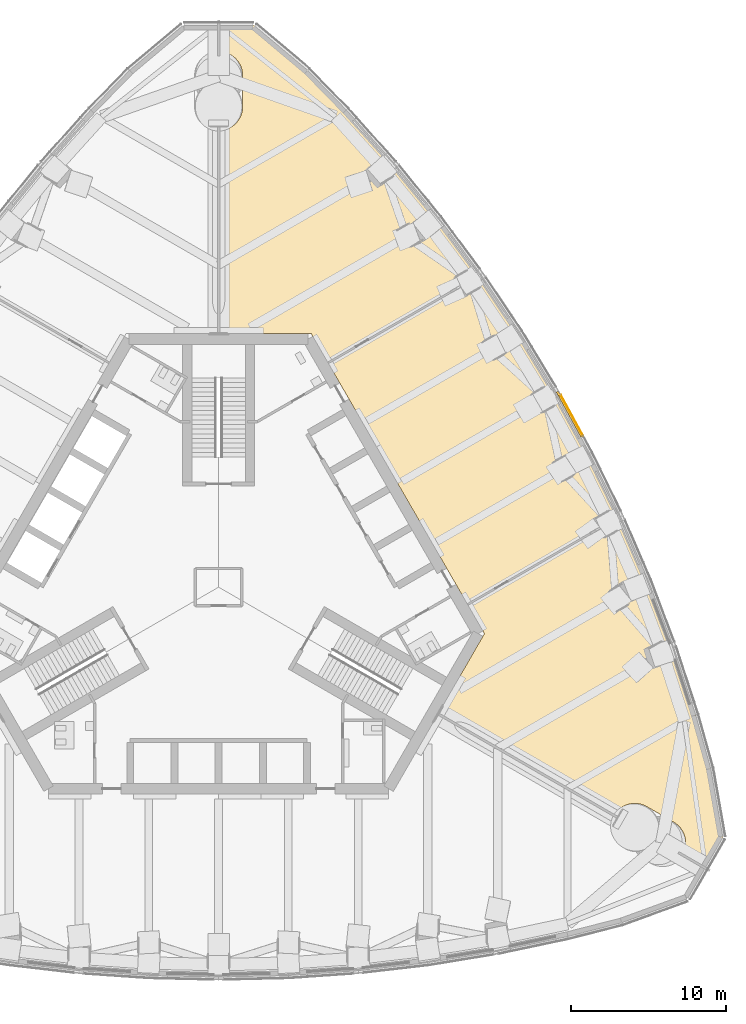
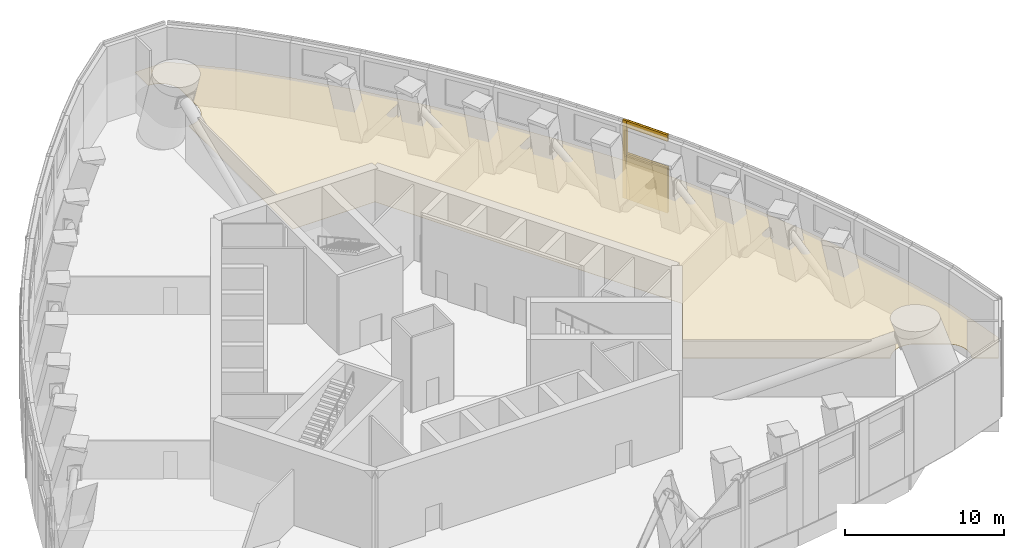
# One storey, part 18 of 22: 6 coverings.
"""IFC4 building model written with IfcOpenShell, lengths in metres."""

import ifcopenshell
import ifcopenshell.guid

model = None  # the IFC model being written
_history = None  # IfcOwnerHistory: only IFC2X3 demands one
_inside = {}  # id of a spatial element -> (the spatial element, [elements in it])
_under = {}  # id of a project, library or spatial element -> (it, [spatial elements below it])
_declared = {}  # id of a project -> (the project, [libraries it declares])
_typed = {}  # id of a type object -> (the type object, [elements of that type])
_made_of = {}  # id of a material, layer set ... -> (it, [elements and type objects made of it])


def new_model(schema):
    """Start an empty IFC model of exactly this schema.

    Asked for "IFC4X3", IfcOpenShell would pick the latest addendum, in which some entities
    have other attributes; the version numbers below select the first issue.
    IFC2X3 requires an IfcOwnerHistory on every rooted entity: one is made here for all.
    """
    global model, _history
    if schema == "IFC4X3":
        model = ifcopenshell.file(schema_version=(4, 3, 0, 0))
    else:
        model = ifcopenshell.file(schema=schema)
    _inside.clear()
    _under.clear()
    _declared.clear()
    _typed.clear()
    _made_of.clear()
    _history = None
    if model.schema == "IFC2X3":
        org = make("IfcOrganization", Name="unknown")
        user = make(
            "IfcPersonAndOrganization",
            ThePerson=make("IfcPerson", FamilyName="unknown"),
            TheOrganization=org,
        )
        app = make(
            "IfcApplication",
            ApplicationDeveloper=org,
            Version="unknown",
            ApplicationFullName="unknown",
            ApplicationIdentifier="unknown",
        )
        _history = make(
            "IfcOwnerHistory",
            OwningUser=user,
            OwningApplication=app,
            ChangeAction="ADDED",
            CreationDate=0,
        )
    return model


def make(cls, **values):
    """One entity of the class cls with the attributes given. An attribute that is None is left unset."""
    return model.create_entity(
        cls, **{name: value for name, value in values.items() if value is not None}
    )


def rooted(cls, **values):
    """An entity with a GlobalId (a new one), such as an element, a storey or a relation."""
    return make(cls, GlobalId=ifcopenshell.guid.new(), OwnerHistory=_history, **values)


def si_unit(unit_type, name, prefix=None):
    """IfcSIUnit, for example si_unit("LENGTHUNIT", "METRE", prefix="MILLI")."""
    return make("IfcSIUnit", UnitType=unit_type, Prefix=prefix, Name=name)


def assignment(units):
    """IfcUnitAssignment: the units of a project."""
    return None if units is None else make("IfcUnitAssignment", Units=units)


def point(xyz):
    """IfcCartesianPoint."""
    return None if xyz is None else make("IfcCartesianPoint", Coordinates=xyz)


def direction(xyz):
    """IfcDirection."""
    return None if xyz is None else make("IfcDirection", DirectionRatios=xyz)


def frame(location, z_axis=None, x_axis=None):
    """IfcAxis2Placement3D, a coordinate frame: its origin and axes. An axis left out is left unset."""
    return make(
        "IfcAxis2Placement3D",
        Location=point(location),
        Axis=direction(z_axis),
        RefDirection=direction(x_axis),
    )


def frame_2d(location, x_axis=None):
    """IfcAxis2Placement2D, a coordinate frame in the plane: its origin and x axis."""
    return make(
        "IfcAxis2Placement2D", Location=point(location), RefDirection=direction(x_axis)
    )


def origin():
    """The frame at (0, 0, 0) with its axes left unset."""
    return frame((0.0, 0.0, 0.0))


def origin_2d():
    """The frame at (0, 0) in the plane with its x axis left unset."""
    return frame_2d((0.0, 0.0))


def place(relative_to, where):
    """IfcLocalPlacement: puts the frame where relative to a parent placement (None: the world)."""
    return make(
        "IfcLocalPlacement", PlacementRelTo=relative_to, RelativePlacement=where
    )


def context(
    kind, dimensions, precision=None, world=None, true_north=None, identifier=None
):
    """IfcGeometricRepresentationContext, for example the 3D "Model" context."""
    return make(
        "IfcGeometricRepresentationContext",
        ContextIdentifier=identifier,
        ContextType=kind,
        CoordinateSpaceDimension=dimensions,
        Precision=precision,
        WorldCoordinateSystem=world,
        TrueNorth=true_north,
    )


def subcontext(parent, identifier, kind, view, scale=None):
    """IfcGeometricRepresentationSubContext, for example "Body" below "Model"."""
    return make(
        "IfcGeometricRepresentationSubContext",
        ContextIdentifier=identifier,
        ContextType=kind,
        ParentContext=parent,
        TargetScale=scale,
        TargetView=view,
    )


def project(units=None, contexts=None):
    """IfcProject with its units and contexts."""
    return rooted(
        "IfcProject",
        Name="project",
        RepresentationContexts=contexts,
        UnitsInContext=assignment(units),
    )


def spatial(cls, under=None, at=None, **own):
    """A site, building, storey or space (cls), placed at a placement, below another one or the project."""
    s = rooted(cls, ObjectPlacement=at, **own)
    if under is not None:
        _under.setdefault(under.id(), (under, []))[1].append(s)
    return s


def polyline(points):
    """IfcPolyline through the points."""
    return make("IfcPolyline", Points=[point(p) for p in points])


def profile(cls, at=None, kind="AREA", **sizes):
    """A parametric profile (cls). Its sizes go by their IFC names, for example OverallWidth=200.0."""
    return make(cls, ProfileType=kind, Position=at, **sizes)


def rectangle(**sizes):
    """IfcRectangleProfileDef."""
    return profile("IfcRectangleProfileDef", **sizes)


def outline(outer, holes=None, kind="AREA"):
    """IfcArbitraryClosedProfileDef: a profile drawn as a closed curve; with holes, ...WithVoids."""
    if holes is None:
        return make("IfcArbitraryClosedProfileDef", ProfileType=kind, OuterCurve=outer)
    return make(
        "IfcArbitraryProfileDefWithVoids",
        ProfileType=kind,
        OuterCurve=outer,
        InnerCurves=holes,
    )


def extrude(swept, where, along, depth):
    """IfcExtrudedAreaSolid: the profile swept, set in the frame where, extruded along a direction by depth."""
    return make(
        "IfcExtrudedAreaSolid",
        SweptArea=swept,
        Position=where,
        ExtrudedDirection=direction(along),
        Depth=depth,
    )


def shape(context_of_items, identifier, shape_type, items):
    """IfcShapeRepresentation: the items that make up one representation, for example the "Body"."""
    return make(
        "IfcShapeRepresentation",
        ContextOfItems=context_of_items,
        RepresentationIdentifier=identifier,
        RepresentationType=shape_type,
        Items=items,
    )


def material(Name=None, Category=None):
    """IfcMaterial."""
    return make("IfcMaterial", Name=Name, Category=Category)


def layer(
    of_material, thickness, ventilated=None, Name=None, Category=None, Priority=None
):
    """IfcMaterialLayer: one layer of a wall or slab, of a material (None: an air gap)."""
    return make(
        "IfcMaterialLayer",
        Material=of_material,
        LayerThickness=thickness,
        IsVentilated=ventilated,
        Name=Name,
        Category=Category,
        Priority=Priority,
    )


def layer_set(layers, Name=None):
    """IfcMaterialLayerSet."""
    return make("IfcMaterialLayerSet", MaterialLayers=layers, LayerSetName=Name)


def made_of(thing, what):
    """Note that an element or type object is made of a material, layer set ...; save() writes the relation."""
    if what is not None:
        _made_of.setdefault(what.id(), (what, []))[1].append(thing)
    return thing


def type_object(cls, material=None, **own):
    """A type object (cls), such as IfcWallType, which elements share."""
    return made_of(rooted(cls, **own), material)


def element(
    cls,
    number,
    at=None,
    inside=None,
    cuts=None,
    type_object=None,
    material=None,
    context=None,
    identifier="Body",
    shape_type=None,
    held_by="IfcProductDefinitionShape",
    body=None,
    shapes=None,
    **own,
):
    """One element of the class cls, such as IfcWall. Its Tag is "e" and its number.

    at: its placement. inside: the storey or other place that contains it. cuts: it is an
    opening in that element (IfcRelVoidsElement). A single representation is given by context,
    identifier, shape_type and body (its items); several are given by shapes. held_by: the class
    of the entity that holds the representations. save() writes the other relations.
    """
    e = rooted(cls, Tag="e%d" % number, ObjectPlacement=at, **own)
    if body is not None:
        shapes = [shape(context, identifier, shape_type, body)]
    if shapes is not None:
        e.Representation = make(held_by, Representations=shapes)
    if inside is not None:
        _inside.setdefault(inside.id(), (inside, []))[1].append(e)
    if cuts is not None:
        rooted(
            "IfcRelVoidsElement", RelatingBuildingElement=cuts, RelatedOpeningElement=e
        )
    if type_object is not None:
        _typed.setdefault(type_object.id(), (type_object, []))[1].append(e)
    return made_of(e, material)


def aggregate(whole, parts):
    """IfcRelAggregates: a whole, such as a stair, and the parts it consists of."""
    return rooted("IfcRelAggregates", RelatingObject=whole, RelatedObjects=parts)


def save(model, path):
    """Write the relations noted so far, then the file.

    IfcRelAggregates (storeys below a building ...), IfcRelContainedInSpatialStructure (elements
    in a storey), IfcRelDefinesByType, IfcRelAssociatesMaterial and IfcRelDeclares: one each for
    every whole, place, type object, material and project.
    """
    for whole, parts in _under.values():
        aggregate(whole, parts)
    for where, things in _inside.values():
        rooted(
            "IfcRelContainedInSpatialStructure",
            RelatedElements=things,
            RelatingStructure=where,
        )
    for kind, things in _typed.values():
        rooted("IfcRelDefinesByType", RelatedObjects=things, RelatingType=kind)
    for what, things in _made_of.values():
        rooted("IfcRelAssociatesMaterial", RelatedObjects=things, RelatingMaterial=what)
    for by, libraries in _declared.values():
        rooted("IfcRelDeclares", RelatingContext=by, RelatedDefinitions=libraries)
    model.write(path)


model = new_model("IFC4")

# Units and contexts
model_context = context("Model", 3, precision=1e-05, world=origin(), true_north=direction((0.0, 1.0)))
body_context = subcontext(model_context, "Body", "Model", "MODEL_VIEW")
ifc_project = project(units=[si_unit("LENGTHUNIT", "METRE"), si_unit("AREAUNIT", "SQUARE_METRE"), si_unit("VOLUMEUNIT", "CUBIC_METRE"), si_unit("PLANEANGLEUNIT", "RADIAN"), si_unit("MASSUNIT", "GRAM", prefix="KILO")], contexts=[model_context])

# Site, building, storey
site_placement = place(None, origin())
site = spatial("IfcSite", under=ifc_project, at=site_placement, CompositionType="ELEMENT")
building_placement = place(site_placement, origin())
building = spatial("IfcBuilding", under=site, at=building_placement, Name="Trefoil Bronze Tower", CompositionType="ELEMENT")
storey_placement = place(building_placement, frame((0.0, 0.0, 265.300048828125)))
storey = spatial("IfcBuildingStorey", under=building, at=storey_placement, Name="L61", CompositionType="ELEMENT", Elevation=265.300048828125)

# Coverings
ifc_material_1 = material(Name="Bronze-finish aluminium rainscreen panel on aluminium rails", Category="aluminium")
ifc_layer_1 = layer(ifc_material_1, 0.0400390625)
ifc_layer_set_1 = layer_set([ifc_layer_1], Name="Bronze cladding panel 40")
covering_type_1 = type_object("IfcCoveringType", Name="Bronze cladding panel 40", PredefinedType="CLADDING", material=ifc_layer_set_1)
covering_1_placement = place(storey_placement, frame((22.7958984375, 11.07470703125, 0.0), z_axis=(0.0, 0.0, 1.0), x_axis=(-0.479974003443, 0.87728271157, 0.0)))
element("IfcCovering", 1, at=covering_1_placement, inside=storey, type_object=covering_type_1, Name="Cladding panel L61 Face 2.6 piece 3", PredefinedType="CLADDING", context=body_context, shape_type="SweptSolid", body=[
    extrude(rectangle(XDim=3.0, YDim=0.0400390625, at=origin_2d()), origin(), (0.0, 0.0, 1.0), 3.5),
])
covering_2_placement = place(storey_placement, frame((22.7958984375, 11.07470703125, 5.5), z_axis=(0.0, 0.0, 1.0), x_axis=(-0.479974003443, 0.87728271157, 0.0)))
element("IfcCovering", 2, at=covering_2_placement, inside=storey, type_object=covering_type_1, Name="Cladding panel L61 Face 2.6 piece 4", PredefinedType="CLADDING", context=body_context, shape_type="SweptSolid", body=[
    extrude(rectangle(XDim=3.0, YDim=0.0400390625, at=origin_2d()), origin(), (0.0, 0.0, 1.0), 0.5),
])
ifc_material_2 = material(Name="Acoustic ceiling panels", Category="mineral fibre")
ifc_layer_2 = layer(ifc_material_2, 0.02001953125)
ifc_layer_set_2 = layer_set([ifc_layer_2], Name="Office ceiling 20")
covering_type_2 = type_object("IfcCoveringType", Name="Office ceiling 20", PredefinedType="CEILING", material=ifc_layer_set_2)
covering_3_placement = place(storey_placement, frame((0.0, 0.0, 2.89990234375)))
element("IfcCovering", 3, at=covering_3_placement, inside=storey, type_object=covering_type_2, Name="Ceiling L61 Mechanical plant room F2", PredefinedType="CEILING", context=body_context, shape_type="SweptSolid", body=[
    extrude(outline(polyline([(8.26318359375, 30.751708984375), (11.3369140625, 27.329833984375), (14.2216796875, 23.79931640625), (16.92236328125, 20.162353515625), (19.44140625, 16.420654296875), (21.781005859375, 12.5751953125), (23.94140625, 8.62646484375), (25.92236328125, 4.573974609375), (27.7216796875, 0.416748046875), (29.3369140625, -3.846923828125), (30.76318359375, -8.219482421875), (31.7265625, -11.650634765625), (32.518310546875, -16.1416015625), (31.385009765625, -18.1044921875), (29.92724609375, -17.263427734375), (29.94580078125, -17.230712890625), (29.97998046875, -17.16259765625), (30.010986328125, -17.09326171875), (30.0380859375, -17.022216796875), (30.06201171875, -16.949951171875), (30.08251953125, -16.876708984375), (30.09912109375, -16.802490234375), (30.112060546875, -16.727294921875), (30.121337890625, -16.65185546875), (30.126953125, -16.576171875), (30.12890625, -16.5), (30.126953125, -16.423828125), (30.121337890625, -16.34814453125), (30.112060546875, -16.272705078125), (30.09912109375, -16.197509765625), (30.08251953125, -16.123291015625), (30.06201171875, -16.050048828125), (30.0380859375, -15.977783203125), (30.010986328125, -15.90673828125), (29.97998046875, -15.83740234375), (29.94580078125, -15.769287109375), (29.908203125, -15.703125), (29.86767578125, -15.638916015625), (29.82373046875, -15.57666015625), (29.777099609375, -15.5166015625), (29.727294921875, -15.458984375), (29.6748046875, -15.404052734375), (29.619873046875, -15.3515625), (29.56201171875, -15.3017578125), (29.502197265625, -15.2548828125), (29.43994140625, -15.211181640625), (29.375732421875, -15.17041015625), (27.6435546875, -14.17041015625), (27.577392578125, -14.133056640625), (27.509521484375, -14.098876953125), (27.43994140625, -14.068115234375), (27.368896484375, -14.04052734375), (27.296630859375, -14.0166015625), (27.223388671875, -13.99658203125), (27.149169921875, -13.979736328125), (27.07421875, -13.966796875), (26.998779296875, -13.95751953125), (26.9228515625, -13.951904296875), (26.8466796875, -13.949951171875), (26.770751953125, -13.951904296875), (26.69482421875, -13.95751953125), (26.619384765625, -13.966796875), (26.54443359375, -13.979736328125), (26.47021484375, -13.99658203125), (26.396728515625, -14.0166015625), (26.32470703125, -14.04052734375), (26.253662109375, -14.068115234375), (26.18408203125, -14.098876953125), (26.1162109375, -14.133056640625), (26.0498046875, -14.17041015625), (25.985595703125, -14.211181640625), (25.923583984375, -14.2548828125), (25.863525390625, -14.3017578125), (25.805908203125, -14.3515625), (25.750732421875, -14.404052734375), (25.6982421875, -14.458984375), (25.648681640625, -14.5166015625), (25.601806640625, -14.57666015625), (25.55810546875, -14.638916015625), (25.51025390625, -14.715576171875), (14.16259765625, -8.169677734375), (17.147216796875, -3.0), (5.9755859375, 16.35009765625), (0.006103515625, 16.35009765625), (0.010986328125, 29.4501953125), (0.076171875, 29.451904296875), (0.15185546875, 29.45751953125), (0.227294921875, 29.466796875), (0.302490234375, 29.479736328125), (0.376708984375, 29.49658203125), (0.449951171875, 29.5166015625), (0.522216796875, 29.54052734375), (0.59326171875, 29.568115234375), (0.66259765625, 29.598876953125), (0.730712890625, 29.633056640625), (0.796875, 29.67041015625), (0.861083984375, 29.711181640625), (0.92333984375, 29.7548828125), (0.9833984375, 29.8017578125), (1.041015625, 29.8515625), (1.095947265625, 29.904052734375), (1.1484375, 29.958984375), (1.1982421875, 30.0166015625), (1.2451171875, 30.07666015625), (1.288818359375, 30.138916015625), (1.32958984375, 30.203125), (1.366943359375, 30.269287109375), (1.401123046875, 30.33740234375), (1.431884765625, 30.40673828125), (1.45947265625, 30.477783203125), (1.4833984375, 30.550048828125), (1.50341796875, 30.623291015625), (1.520263671875, 30.697509765625), (1.533203125, 30.772705078125), (1.54248046875, 30.84814453125), (1.548095703125, 30.923828125), (1.550048828125, 31.0), (1.550048828125, 33.0), (1.548095703125, 33.076171875), (1.54248046875, 33.15185546875), (1.533203125, 33.227294921875), (1.520263671875, 33.302490234375), (1.50341796875, 33.376708984375), (1.4833984375, 33.449951171875), (1.45947265625, 33.522216796875), (1.431884765625, 33.59326171875), (1.401123046875, 33.66259765625), (1.366943359375, 33.730712890625), (1.32958984375, 33.796875), (1.288818359375, 33.861083984375), (1.2451171875, 33.92333984375), (1.1982421875, 33.9833984375), (1.1484375, 34.041015625), (1.095947265625, 34.095947265625), (1.041015625, 34.1484375), (0.9833984375, 34.1982421875), (0.92333984375, 34.2451171875), (0.861083984375, 34.288818359375), (0.796875, 34.32958984375), (0.730712890625, 34.366943359375), (0.66259765625, 34.401123046875), (0.59326171875, 34.431884765625), (0.522216796875, 34.45947265625), (0.449951171875, 34.4833984375), (0.376708984375, 34.50341796875), (0.302490234375, 34.520263671875), (0.227294921875, 34.533203125), (0.15185546875, 34.54248046875), (0.076171875, 34.548095703125), (0.012939453125, 34.5498046875), (0.013671875, 36.232666015625), (2.280029296875, 36.232666015625), (5.7734375, 33.30126953125), (8.26318359375, 30.751708984375)])), origin(), (0.0, 0.0, 1.0), 0.02001953125),
])
ifc_material_3 = material(Name="Non-combustible mineral wool slab", Category="insulation")
ifc_layer_3 = layer(ifc_material_3, 0.14990234375)
ifc_layer_set_3 = layer_set([ifc_layer_3], Name="Rainscreen insulation 150")
covering_type_3 = type_object("IfcCoveringType", Name="Rainscreen insulation 150", PredefinedType="INSULATION", material=ifc_layer_set_3)
covering_4_placement = place(storey_placement, frame((21.920654296875, 12.476806640625, 0.0), z_axis=(0.0, 0.0, 1.0), x_axis=(-0.479974003443, 0.87728271157, 0.0)))
element("IfcCovering", 4, at=covering_4_placement, inside=storey, type_object=covering_type_3, Name="Insulation L61 Face 2.6 piece 2", PredefinedType="INSULATION", context=body_context, shape_type="SweptSolid", body=[
    extrude(rectangle(XDim=0.300048828125, YDim=0.14990234375, at=origin_2d()), origin(), (0.0, 0.0, 1.0), 6.0),
])
covering_5_placement = place(storey_placement, frame((22.712646484375, 11.029296875, 0.0), z_axis=(0.0, 0.0, 1.0), x_axis=(-0.479974003443, 0.87728271157, 0.0)))
element("IfcCovering", 5, at=covering_5_placement, inside=storey, type_object=covering_type_3, Name="Insulation L61 Face 2.6 piece 3", PredefinedType="INSULATION", context=body_context, shape_type="SweptSolid", body=[
    extrude(rectangle(XDim=3.0, YDim=0.14990234375, at=origin_2d()), origin(), (0.0, 0.0, 1.0), 3.5),
])
covering_6_placement = place(storey_placement, frame((22.712646484375, 11.029296875, 5.5), z_axis=(0.0, 0.0, 1.0), x_axis=(-0.479974003443, 0.87728271157, 0.0)))
element("IfcCovering", 6, at=covering_6_placement, inside=storey, type_object=covering_type_3, Name="Insulation L61 Face 2.6 piece 4", PredefinedType="INSULATION", context=body_context, shape_type="SweptSolid", body=[
    extrude(rectangle(XDim=3.0, YDim=0.14990234375, at=origin_2d()), origin(), (0.0, 0.0, 1.0), 0.5),
])

save(model, "model.ifc")
